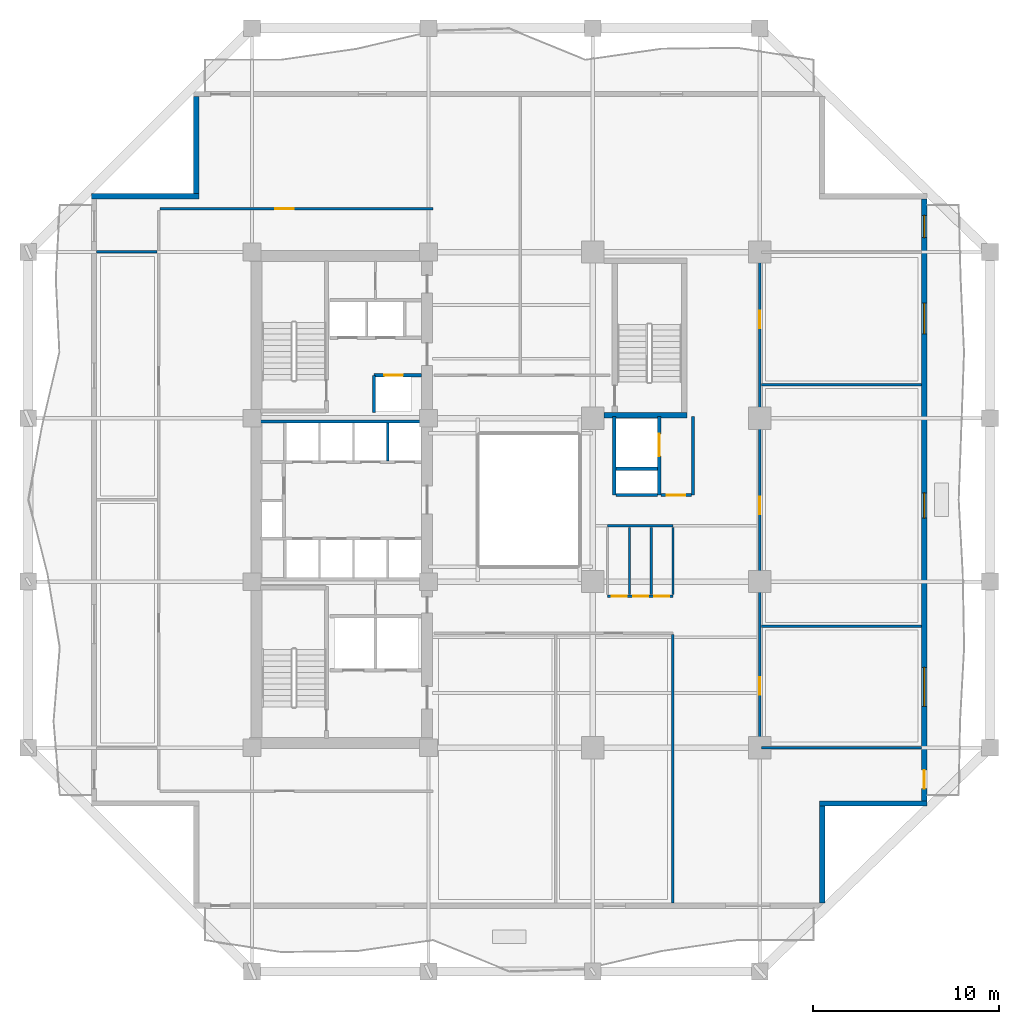
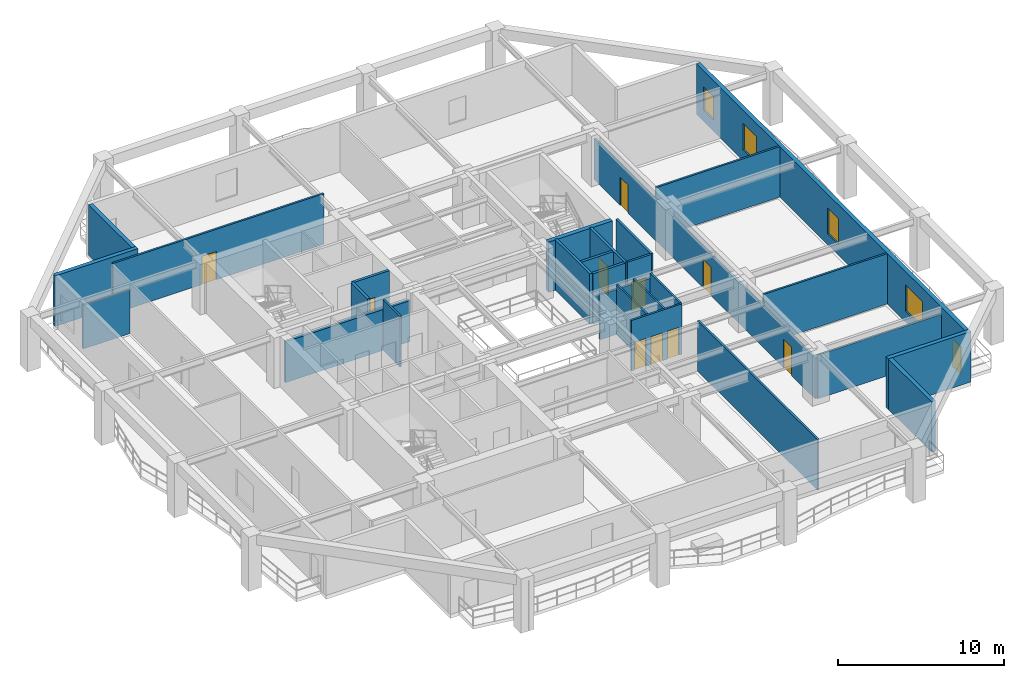
# One storey, part 4 of 12: 28 walls, 11 doors, 4 windows, 15 openings.
"""IFC4 building model written with IfcOpenShell, lengths in metres."""

from ifc_helpers import new_model, si_unit, direction, frame, frame_2d, origin, place, context, subcontext, project, spatial, rectangle, extrude, material, layer, layer_set, type_object, element, fill, save


model = new_model("IFC4")

# Units and contexts
model_context = context("Model", 3, precision=1e-05, world=origin(), true_north=direction((0.0, 1.0)))
body_context = subcontext(model_context, "Body", "Model", "MODEL_VIEW")
ifc_project = project(units=[si_unit("LENGTHUNIT", "METRE"), si_unit("AREAUNIT", "SQUARE_METRE"), si_unit("VOLUMEUNIT", "CUBIC_METRE"), si_unit("PLANEANGLEUNIT", "RADIAN"), si_unit("MASSUNIT", "GRAM", prefix="KILO")], contexts=[model_context])

# Site, building, storey
site_placement = place(None, origin())
site = spatial("IfcSite", under=ifc_project, at=site_placement, CompositionType="ELEMENT")
building_placement = place(site_placement, origin())
building = spatial("IfcBuilding", under=site, at=building_placement, Name="Kundavana Baori Tower", CompositionType="ELEMENT")
storey_placement = place(building_placement, frame((0.0, 0.0, 46.0)))
storey = spatial("IfcBuildingStorey", under=building, at=storey_placement, Name="L10", CompositionType="ELEMENT", Elevation=46.0)

# Walls
ifc_material_1 = material(Name="Red-Buff Dholpur Sandstone Cladding on Concrete C40/50", Category="masonry")
ifc_layer_1 = layer(ifc_material_1, 0.280029296875, Name="WL-EXT-SAND-280")
ifc_layer_set_1 = layer_set([ifc_layer_1], Name="Red-Buff Dholpur Sandstone Cladding on Concrete C40/50")
wall_type_1 = type_object("IfcWallType", Name="WL-EXT-SAND-280", PredefinedType="STANDARD", material=ifc_layer_set_1)
wall_1_placement = place(storey_placement, frame((46.159912109375, 6.8798828125, 0.0), z_axis=(0.0, 0.0, 1.0), x_axis=(0.0, 1.0, 0.0)))
element("IfcWall", 1, at=wall_1_placement, inside=storey, type_object=wall_type_1, Name="L10 Exterior Insulated Facade Wall 02", PredefinedType="STANDARD", context=body_context, shape_type="SweptSolid", body=[
    extrude(rectangle(XDim=5.22021484375, YDim=0.280029296875, at=frame_2d((2.610107421875, 0.0))), origin(), (0.0, 0.0, 1.0), 3.719970703125),
])
wall_2_placement = place(storey_placement, frame((46.02001953125, 12.239990234375, 0.0), z_axis=(0.0, 0.0, 1.0), x_axis=(1.0, 0.0, 0.0)))
element("IfcWall", 2, at=wall_2_placement, inside=storey, type_object=wall_type_1, Name="L10 Exterior Insulated Facade Wall 03", PredefinedType="STANDARD", context=body_context, shape_type="SweptSolid", body=[
    extrude(rectangle(XDim=5.780029296875, YDim=0.280029296875, at=frame_2d((2.89013671875, 0.0))), origin(), (0.0, 0.0, 1.0), 3.719970703125),
])

# Wall, openings, door, windows
wall_3_placement = place(storey_placement, frame((51.659912109375, 12.3798828125, 0.0), z_axis=(0.0, 0.0, 1.0), x_axis=(0.0, 1.0, 0.0)))
wall_3 = element("IfcWall", 3, at=wall_3_placement, inside=storey, type_object=wall_type_1, Name="L10 Exterior Insulated Facade Wall 04", PredefinedType="STANDARD", context=body_context, shape_type="SweptSolid", body=[
    extrude(rectangle(XDim=32.440185546875, YDim=0.280029296875, at=frame_2d((16.22021484375, 0.0))), origin(), (0.0, 0.0, 1.0), 3.719970703125),
])
opening_1_placement = place(wall_3_placement, frame((0.669921875, 0.0, 0.0)))
opening_1 = element("IfcOpeningElement", 4, at=opening_1_placement, cuts=wall_3, Name="Opening BD-1", PredefinedType="OPENING", context=body_context, shape_type="SweptSolid", body=[
    extrude(rectangle(XDim=1.0, YDim=2.050048828125, at=frame_2d((0.5, 1.02490234375))), frame((0.0, 0.14990234375, 0.0), z_axis=(0.0, -1.0, 0.0), x_axis=(1.0, 0.0, 0.0)), (0.0, 0.0, 1.0), 0.300048828125),
])
opening_2_placement = place(wall_3_placement, frame((5.094970703125, 0.0, 0.800048828125)))
opening_2 = element("IfcOpeningElement", 5, at=opening_2_placement, cuts=wall_3, Name="Opening W-05", PredefinedType="OPENING", context=body_context, shape_type="SweptSolid", body=[
    extrude(rectangle(XDim=2.10009765625, YDim=1.949951171875, at=frame_2d((1.050048828125, 0.97509765625))), frame((0.0, 0.14990234375, 0.0), z_axis=(0.0, -1.0, 0.0), x_axis=(1.0, 0.0, 0.0)), (0.0, 0.0, 1.0), 0.300048828125),
])
opening_3_placement = place(wall_3_placement, frame((15.2451171875, 0.0, 0.800048828125)))
opening_3 = element("IfcOpeningElement", 6, at=opening_3_placement, cuts=wall_3, Name="Opening W-07", PredefinedType="OPENING", context=body_context, shape_type="SweptSolid", body=[
    extrude(rectangle(XDim=1.35009765625, YDim=1.89990234375, at=frame_2d((0.675048828125, 0.949951171875))), frame((0.0, 0.14990234375, 0.0), z_axis=(0.0, -1.0, 0.0), x_axis=(1.0, 0.0, 0.0)), (0.0, 0.0, 1.0), 0.300048828125),
])
opening_4_placement = place(wall_3_placement, frame((25.169921875, 0.0, 0.800048828125)))
opening_4 = element("IfcOpeningElement", 7, at=opening_4_placement, cuts=wall_3, Name="Opening W-08", PredefinedType="OPENING", context=body_context, shape_type="SweptSolid", body=[
    extrude(rectangle(XDim=1.64990234375, YDim=1.949951171875, at=frame_2d((0.824951171875, 0.97509765625))), frame((0.0, 0.14990234375, 0.0), z_axis=(0.0, -1.0, 0.0), x_axis=(1.0, 0.0, 0.0)), (0.0, 0.0, 1.0), 0.300048828125),
])
opening_5_placement = place(wall_3_placement, frame((30.35009765625, 0.0, 0.800048828125)))
opening_5 = element("IfcOpeningElement", 8, at=opening_5_placement, cuts=wall_3, Name="Opening W-03", PredefinedType="OPENING", context=body_context, shape_type="SweptSolid", body=[
    extrude(rectangle(XDim=1.199951171875, YDim=1.75, at=frame_2d((0.60009765625, 0.875))), frame((0.0, 0.14990234375, 0.0), z_axis=(0.0, -1.0, 0.0), x_axis=(1.0, 0.0, 0.0)), (0.0, 0.0, 1.0), 0.300048828125),
])
ifc_material_2 = material(Name="Architectural Patinated Bronze Metalwork")
door_type_1 = type_object("IfcDoorType", Name="DR-EXT-LOG-1000", OperationType="NOTDEFINED", PredefinedType="DOOR", material=ifc_material_2)
door_1_placement = place(opening_1_placement, frame((1.0, 0.0, 0.0), z_axis=(0.0, 0.0, 1.0), x_axis=(-1.0, 0.0, 0.0)))
door_1 = element("IfcDoor", 9, at=door_1_placement, inside=storey, type_object=door_type_1, Name="L10 Loggia Balcony Access Door E", OperationType="SINGLE_SWING_RIGHT", OverallHeight=2.050048828125, OverallWidth=1.0, PredefinedType="DOOR", context=body_context, shape_type="SweptSolid", body=[
    extrude(rectangle(XDim=1.0, YDim=2.050048828125, at=frame_2d((0.5, 1.02490234375))), frame((0.0, 0.02490234375, 0.0), z_axis=(0.0, -1.0, 0.0), x_axis=(1.0, 0.0, 0.0)), (0.0, 0.0, 1.0), 0.050048828125),
])
fill(opening_1, door_1)
ifc_material_3 = material(Name="Double-Glazed Solar-Control Low-E Insulated Glass", Category="glass")
window_type_1 = type_object("IfcWindowType", Name="WIN-LOG-1200x1750", PartitioningType="SINGLE_PANEL", PredefinedType="WINDOW", material=ifc_material_3)
window_1_placement = place(opening_5_placement, origin())
window_1 = element("IfcWindow", 10, at=window_1_placement, inside=storey, type_object=window_type_1, Name="L10 Recessed Loggia Window E-5", OverallHeight=1.75, OverallWidth=1.199951171875, PartitioningType="SINGLE_PANEL", PredefinedType="WINDOW", context=body_context, shape_type="SweptSolid", body=[
    extrude(rectangle(XDim=1.199951171875, YDim=1.75, at=frame_2d((0.60009765625, 0.875))), frame((0.0, 0.030029296875, 0.0), z_axis=(0.0, -1.0, 0.0), x_axis=(1.0, 0.0, 0.0)), (0.0, 0.0, 1.0), 0.06005859375),
])
fill(opening_5, window_1)
ifc_material_4 = material(Name="Double-Glazed Solar-Control Low-E Insulated Glass", Category="glass")
window_type_2 = type_object("IfcWindowType", Name="WIN-LOG-1350x1900", PartitioningType="SINGLE_PANEL", PredefinedType="WINDOW", material=ifc_material_4)
window_2_placement = place(opening_3_placement, origin())
window_2 = element("IfcWindow", 11, at=window_2_placement, inside=storey, type_object=window_type_2, Name="L10 Recessed Loggia Window E-3", OverallHeight=1.89990234375, OverallWidth=1.35009765625, PartitioningType="SINGLE_PANEL", PredefinedType="WINDOW", context=body_context, shape_type="SweptSolid", body=[
    extrude(rectangle(XDim=1.35009765625, YDim=1.89990234375, at=frame_2d((0.675048828125, 0.949951171875))), frame((0.0, 0.030029296875, 0.0), z_axis=(0.0, -1.0, 0.0), x_axis=(1.0, 0.0, 0.0)), (0.0, 0.0, 1.0), 0.06005859375),
])
fill(opening_3, window_2)
ifc_material_5 = material(Name="Double-Glazed Solar-Control Low-E Insulated Glass", Category="glass")
window_type_3 = type_object("IfcWindowType", Name="WIN-LOG-1650x1950", PartitioningType="SINGLE_PANEL", PredefinedType="WINDOW", material=ifc_material_5)
window_3_placement = place(opening_4_placement, origin())
window_3 = element("IfcWindow", 12, at=window_3_placement, inside=storey, type_object=window_type_3, Name="L10 Recessed Loggia Window E-4", OverallHeight=1.949951171875, OverallWidth=1.64990234375, PartitioningType="SINGLE_PANEL", PredefinedType="WINDOW", context=body_context, shape_type="SweptSolid", body=[
    extrude(rectangle(XDim=1.64990234375, YDim=1.949951171875, at=frame_2d((0.824951171875, 0.97509765625))), frame((0.0, 0.030029296875, 0.0), z_axis=(0.0, -1.0, 0.0), x_axis=(1.0, 0.0, 0.0)), (0.0, 0.0, 1.0), 0.06005859375),
])
fill(opening_4, window_3)
ifc_material_6 = material(Name="Double-Glazed Solar-Control Low-E Insulated Glass", Category="glass")
window_type_4 = type_object("IfcWindowType", Name="WIN-LOG-2100x1950", PartitioningType="SINGLE_PANEL", PredefinedType="WINDOW", material=ifc_material_6)
window_4_placement = place(opening_2_placement, origin())
window_4 = element("IfcWindow", 13, at=window_4_placement, inside=storey, type_object=window_type_4, Name="L10 Recessed Loggia Window E-2", OverallHeight=1.949951171875, OverallWidth=2.10009765625, PartitioningType="SINGLE_PANEL", PredefinedType="WINDOW", context=body_context, shape_type="SweptSolid", body=[
    extrude(rectangle(XDim=2.10009765625, YDim=1.949951171875, at=frame_2d((1.050048828125, 0.97509765625))), frame((0.0, 0.030029296875, 0.0), z_axis=(0.0, -1.0, 0.0), x_axis=(1.0, 0.0, 0.0)), (0.0, 0.0, 1.0), 0.06005859375),
])
fill(opening_2, window_4)

# Walls
wall_4_placement = place(storey_placement, frame((12.43994140625, 50.320068359375, 0.0), z_axis=(0.0, 0.0, 1.0), x_axis=(0.0, -1.0, 0.0)))
element("IfcWall", 14, at=wall_4_placement, inside=storey, type_object=wall_type_1, Name="L10 Exterior Insulated Facade Wall 08", PredefinedType="STANDARD", context=body_context, shape_type="SweptSolid", body=[
    extrude(rectangle(XDim=5.219970703125, YDim=0.280029296875, at=frame_2d((2.60986328125, 0.0))), origin(), (0.0, 0.0, 1.0), 3.719970703125),
])
wall_5_placement = place(storey_placement, frame((12.580078125, 44.9599609375, 0.0), z_axis=(0.0, 0.0, 1.0), x_axis=(-1.0, 0.0, 0.0)))
element("IfcWall", 15, at=wall_5_placement, inside=storey, type_object=wall_type_1, Name="L10 Exterior Insulated Facade Wall 09", PredefinedType="STANDARD", context=body_context, shape_type="SweptSolid", body=[
    extrude(rectangle(XDim=5.780029296875, YDim=0.280029296875, at=frame_2d((2.89013671875, 0.0))), origin(), (0.0, 0.0, 1.0), 3.719970703125),
])
ifc_material_7 = material(Name="Acoustic Gypsum Plasterboard on Galvanised Steel Studs", Category="steel")
ifc_layer_2 = layer(ifc_material_7, 0.1201171875, Name="WL-PART-120")
ifc_layer_set_2 = layer_set([ifc_layer_2], Name="Acoustic Gypsum Plasterboard on Galvanised Steel Studs")
wall_type_2 = type_object("IfcWallType", Name="WL-PART-120", PredefinedType="PARTITIONING", material=ifc_layer_set_2)
wall_6_placement = place(storey_placement, frame((22.760009765625, 30.699951171875, 0.0), z_axis=(0.0, 0.0, 1.0), x_axis=(0.0, 1.0, 0.0)))
element("IfcWall", 16, at=wall_6_placement, inside=storey, type_object=wall_type_2, Name="WL-L10-LPMID-D3", PredefinedType="PARTITIONING", context=body_context, shape_type="SweptSolid", body=[
    extrude(rectangle(XDim=2.050048828125, YDim=0.1201171875, at=frame_2d((1.02490234375, 0.0))), origin(), (0.0, 0.0, 1.0), 3.719970703125),
])
ifc_material_8 = material(Name="Acoustic Gypsum Plasterboard on Galvanised Steel Studs", Category="steel")
ifc_layer_3 = layer(ifc_material_8, 0.135009765625, Name="WL-PART-135")
ifc_layer_set_3 = layer_set([ifc_layer_3], Name="Acoustic Gypsum Plasterboard on Galvanised Steel Studs")
wall_type_3 = type_object("IfcWallType", Name="WL-PART-135", PredefinedType="PARTITIONING", material=ifc_layer_set_3)
wall_7_placement = place(storey_placement, frame((38.1201171875, 6.8798828125, 0.0), z_axis=(0.0, 0.0, 1.0), x_axis=(0.0, 1.0, 0.0)))
element("IfcWall", 17, at=wall_7_placement, inside=storey, type_object=wall_type_3, Name="WL-L10-OFSEND", PredefinedType="PARTITIONING", context=body_context, shape_type="SweptSolid", body=[
    extrude(rectangle(XDim=14.460205078125, YDim=0.135009765625, at=frame_2d((7.22998046875, 0.0))), origin(), (0.0, 0.0, 1.0), 3.719970703125),
])

# Wall, openings, doors
wall_8_placement = place(storey_placement, frame((34.60009765625, 23.419921875, 0.0), z_axis=(0.0, 0.0, 1.0), x_axis=(1.0, 0.0, 0.0)))
wall_8 = element("IfcWall", 18, at=wall_8_placement, inside=storey, type_object=wall_type_3, Name="WL-L10-OFST", PredefinedType="PARTITIONING", context=body_context, shape_type="SweptSolid", body=[
    extrude(rectangle(XDim=3.52001953125, YDim=0.135009765625, at=frame_2d((1.760009765625, 0.0))), origin(), (0.0, 0.0, 1.0), 3.719970703125),
])
opening_6_placement = place(wall_8_placement, frame((0.219970703125, 0.0, 0.0)))
opening_6 = element("IfcOpeningElement", 19, at=opening_6_placement, cuts=wall_8, Name="Opening WD-080", PredefinedType="OPENING", context=body_context, shape_type="SweptSolid", body=[
    extrude(rectangle(XDim=0.800048828125, YDim=2.050048828125, at=frame_2d((0.39990234375, 1.02490234375))), frame((0.0, 0.07763671875, 0.0), z_axis=(0.0, -1.0, 0.0), x_axis=(1.0, 0.0, 0.0)), (0.0, 0.0, 1.0), 0.155029296875),
])
opening_7_placement = place(wall_8_placement, frame((1.3798828125, 0.0, 0.0)))
opening_7 = element("IfcOpeningElement", 20, at=opening_7_placement, cuts=wall_8, Name="Opening WD-080", PredefinedType="OPENING", context=body_context, shape_type="SweptSolid", body=[
    extrude(rectangle(XDim=0.800048828125, YDim=2.050048828125, at=frame_2d((0.39990234375, 1.02490234375))), frame((0.0, 0.07763671875, 0.0), z_axis=(0.0, -1.0, 0.0), x_axis=(1.0, 0.0, 0.0)), (0.0, 0.0, 1.0), 0.155029296875),
])
opening_8_placement = place(wall_8_placement, frame((2.52001953125, 0.0, 0.0)))
opening_8 = element("IfcOpeningElement", 21, at=opening_8_placement, cuts=wall_8, Name="Opening WD-080", PredefinedType="OPENING", context=body_context, shape_type="SweptSolid", body=[
    extrude(rectangle(XDim=0.800048828125, YDim=2.050048828125, at=frame_2d((0.39990234375, 1.02490234375))), frame((0.0, 0.07763671875, 0.0), z_axis=(0.0, -1.0, 0.0), x_axis=(1.0, 0.0, 0.0)), (0.0, 0.0, 1.0), 0.155029296875),
])
ifc_material_9 = material(Name="Engineered Teak Solid-Core Timber Veneer", Category="wood")
door_type_2 = type_object("IfcDoorType", Name="DR-WET-800", OperationType="NOTDEFINED", PredefinedType="DOOR", material=ifc_material_9)
door_2_placement = place(opening_6_placement, origin())
door_2 = element("IfcDoor", 22, at=door_2_placement, inside=storey, type_object=door_type_2, Name="DR-L10-WCM", OperationType="SINGLE_SWING_LEFT", OverallHeight=2.050048828125, OverallWidth=0.800048828125, PredefinedType="DOOR", context=body_context, shape_type="SweptSolid", body=[
    extrude(rectangle(XDim=0.800048828125, YDim=2.050048828125, at=frame_2d((0.39990234375, 1.02490234375))), frame((0.0, 0.02490234375, 0.0), z_axis=(0.0, -1.0, 0.0), x_axis=(1.0, 0.0, 0.0)), (0.0, 0.0, 1.0), 0.050048828125),
])
fill(opening_6, door_2)
door_3_placement = place(opening_7_placement, origin())
door_3 = element("IfcDoor", 23, at=door_3_placement, inside=storey, type_object=door_type_2, Name="DR-L10-WCA", OperationType="SINGLE_SWING_RIGHT", OverallHeight=2.050048828125, OverallWidth=0.800048828125, PredefinedType="DOOR", context=body_context, shape_type="SweptSolid", body=[
    extrude(rectangle(XDim=0.800048828125, YDim=2.050048828125, at=frame_2d((0.39990234375, 1.02490234375))), frame((0.0, 0.02490234375, 0.0), z_axis=(0.0, -1.0, 0.0), x_axis=(1.0, 0.0, 0.0)), (0.0, 0.0, 1.0), 0.050048828125),
])
fill(opening_7, door_3)
door_4_placement = place(opening_8_placement, origin())
door_4 = element("IfcDoor", 24, at=door_4_placement, inside=storey, type_object=door_type_2, Name="DR-L10-PNT", OperationType="SINGLE_SWING_LEFT", OverallHeight=2.050048828125, OverallWidth=0.800048828125, PredefinedType="DOOR", context=body_context, shape_type="SweptSolid", body=[
    extrude(rectangle(XDim=0.800048828125, YDim=2.050048828125, at=frame_2d((0.39990234375, 1.02490234375))), frame((0.0, 0.02490234375, 0.0), z_axis=(0.0, -1.0, 0.0), x_axis=(1.0, 0.0, 0.0)), (0.0, 0.0, 1.0), 0.050048828125),
])
fill(opening_8, door_4)

wall_9_placement = place(storey_placement, frame((42.800048828125, 15.25, 0.0), z_axis=(0.0, 0.0, 1.0), x_axis=(0.0, 1.0, 0.0)))
wall_9 = element("IfcWall", 25, at=wall_9_placement, inside=storey, type_object=wall_type_3, Name="WL-L10-OFE", PredefinedType="PARTITIONING", context=body_context, shape_type="SweptSolid", body=[
    extrude(rectangle(XDim=26.699951171875, YDim=0.135009765625, at=frame_2d((13.35009765625, 0.0))), origin(), (0.0, 0.0, 1.0), 3.02001953125),
])
opening_9_placement = place(wall_9_placement, frame((2.85009765625, 0.0, 0.0)))
opening_9 = element("IfcOpeningElement", 26, at=opening_9_placement, cuts=wall_9, Name="Opening ID-095", PredefinedType="OPENING", context=body_context, shape_type="SweptSolid", body=[
    extrude(rectangle(XDim=0.949951171875, YDim=2.080078125, at=frame_2d((0.47509765625, 1.0400390625))), frame((0.0, 0.07763671875, 0.0), z_axis=(0.0, -1.0, 0.0), x_axis=(1.0, 0.0, 0.0)), (0.0, 0.0, 1.0), 0.155029296875),
])
opening_10_placement = place(wall_9_placement, frame((12.574951171875, 0.0, 0.0)))
opening_10 = element("IfcOpeningElement", 27, at=opening_10_placement, cuts=wall_9, Name="Opening ID-095", PredefinedType="OPENING", context=body_context, shape_type="SweptSolid", body=[
    extrude(rectangle(XDim=0.949951171875, YDim=2.080078125, at=frame_2d((0.47509765625, 1.0400390625))), frame((0.0, 0.07763671875, 0.0), z_axis=(0.0, -1.0, 0.0), x_axis=(1.0, 0.0, 0.0)), (0.0, 0.0, 1.0), 0.155029296875),
])
opening_11_placement = place(wall_9_placement, frame((22.60009765625, 0.0, 0.0)))
opening_11 = element("IfcOpeningElement", 28, at=opening_11_placement, cuts=wall_9, Name="Opening ID-095", PredefinedType="OPENING", context=body_context, shape_type="SweptSolid", body=[
    extrude(rectangle(XDim=0.949951171875, YDim=2.080078125, at=frame_2d((0.47509765625, 1.0400390625))), frame((0.0, 0.07763671875, 0.0), z_axis=(0.0, -1.0, 0.0), x_axis=(1.0, 0.0, 0.0)), (0.0, 0.0, 1.0), 0.155029296875),
])
ifc_material_10 = material(Name="Engineered Teak Solid-Core Timber Veneer", Category="wood")
door_type_3 = type_object("IfcDoorType", Name="DR-INT-950", OperationType="NOTDEFINED", PredefinedType="DOOR", material=ifc_material_10)
door_5_placement = place(opening_9_placement, origin())
door_5 = element("IfcDoor", 29, at=door_5_placement, inside=storey, type_object=door_type_3, Name="DR-L10-OFE1", OperationType="SINGLE_SWING_RIGHT", OverallHeight=2.080078125, OverallWidth=0.949951171875, PredefinedType="DOOR", context=body_context, shape_type="SweptSolid", body=[
    extrude(rectangle(XDim=0.949951171875, YDim=2.080078125, at=frame_2d((0.47509765625, 1.0400390625))), frame((0.0, 0.02490234375, 0.0), z_axis=(0.0, -1.0, 0.0), x_axis=(1.0, 0.0, 0.0)), (0.0, 0.0, 1.0), 0.050048828125),
])
fill(opening_9, door_5)
door_6_placement = place(opening_10_placement, origin())
door_6 = element("IfcDoor", 30, at=door_6_placement, inside=storey, type_object=door_type_3, Name="DR-L10-OFE2", OperationType="SINGLE_SWING_LEFT", OverallHeight=2.080078125, OverallWidth=0.949951171875, PredefinedType="DOOR", context=body_context, shape_type="SweptSolid", body=[
    extrude(rectangle(XDim=0.949951171875, YDim=2.080078125, at=frame_2d((0.47509765625, 1.0400390625))), frame((0.0, 0.02490234375, 0.0), z_axis=(0.0, -1.0, 0.0), x_axis=(1.0, 0.0, 0.0)), (0.0, 0.0, 1.0), 0.050048828125),
])
fill(opening_10, door_6)
door_7_placement = place(opening_11_placement, origin())
door_7 = element("IfcDoor", 31, at=door_7_placement, inside=storey, type_object=door_type_3, Name="DR-L10-OFE3", OperationType="SINGLE_SWING_RIGHT", OverallHeight=2.080078125, OverallWidth=0.949951171875, PredefinedType="DOOR", context=body_context, shape_type="SweptSolid", body=[
    extrude(rectangle(XDim=0.949951171875, YDim=2.080078125, at=frame_2d((0.47509765625, 1.0400390625))), frame((0.0, 0.02490234375, 0.0), z_axis=(0.0, -1.0, 0.0), x_axis=(1.0, 0.0, 0.0)), (0.0, 0.0, 1.0), 0.050048828125),
])
fill(opening_11, door_7)

# Walls
wall_10_placement = place(storey_placement, frame((42.8798828125, 15.25, 0.0), z_axis=(0.0, 0.0, 1.0), x_axis=(1.0, 0.0, 0.0)))
element("IfcWall", 32, at=wall_10_placement, inside=storey, type_object=wall_type_3, Name="WL-L10-OFES", PredefinedType="PARTITIONING", context=body_context, shape_type="SweptSolid", body=[
    extrude(rectangle(XDim=8.64013671875, YDim=0.135009765625, at=frame_2d((4.320068359375, 0.0))), origin(), (0.0, 0.0, 1.0), 3.219970703125),
])
wall_11_placement = place(storey_placement, frame((7.080078125, 41.97998046875, 0.0), z_axis=(0.0, 0.0, 1.0), x_axis=(1.0, 0.0, 0.0)))
element("IfcWall", 33, at=wall_11_placement, inside=storey, type_object=wall_type_3, Name="WL-L10-OWN", PredefinedType="PARTITIONING", context=body_context, shape_type="SweptSolid", body=[
    extrude(rectangle(XDim=3.260009765625, YDim=0.135009765625, at=frame_2d((1.6298828125, 0.0))), origin(), (0.0, 0.0, 1.0), 3.219970703125),
])

# Wall, opening, door
wall_12_placement = place(storey_placement, frame((10.5, 44.280029296875, 0.0), z_axis=(0.0, 0.0, 1.0), x_axis=(1.0, 0.0, 0.0)))
wall_12 = element("IfcWall", 34, at=wall_12_placement, inside=storey, type_object=wall_type_3, Name="WL-L10-ONC", PredefinedType="PARTITIONING", context=body_context, shape_type="SweptSolid", body=[
    extrude(rectangle(XDim=14.699951171875, YDim=0.135009765625, at=frame_2d((7.35009765625, 0.0))), origin(), (0.0, 0.0, 1.0), 3.719970703125),
])
opening_12_placement = place(wall_12_placement, frame((6.199951171875, 0.0, 0.0)))
opening_12 = element("IfcOpeningElement", 35, at=opening_12_placement, cuts=wall_12, Name="Opening ID-100", PredefinedType="OPENING", context=body_context, shape_type="SweptSolid", body=[
    extrude(rectangle(XDim=1.0, YDim=2.080078125, at=frame_2d((0.5, 1.0400390625))), frame((0.0, 0.07763671875, 0.0), z_axis=(0.0, -1.0, 0.0), x_axis=(1.0, 0.0, 0.0)), (0.0, 0.0, 1.0), 0.155029296875),
])
ifc_material_11 = material(Name="Engineered Teak Solid-Core Timber Veneer", Category="wood")
door_type_4 = type_object("IfcDoorType", Name="DR-INT-1000", OperationType="NOTDEFINED", PredefinedType="DOOR", material=ifc_material_11)
door_8_placement = place(opening_12_placement, origin())
door_8 = element("IfcDoor", 36, at=door_8_placement, inside=storey, type_object=door_type_4, Name="DR-L10-ONWC", OperationType="SINGLE_SWING_RIGHT", OverallHeight=2.080078125, OverallWidth=1.0, PredefinedType="DOOR", context=body_context, shape_type="SweptSolid", body=[
    extrude(rectangle(XDim=1.0, YDim=2.080078125, at=frame_2d((0.5, 1.0400390625))), frame((0.0, 0.02490234375, 0.0), z_axis=(0.0, -1.0, 0.0), x_axis=(1.0, 0.0, 0.0)), (0.0, 0.0, 1.0), 0.050048828125),
])
fill(opening_12, door_8)

# Walls
for number, where, z_axis, x_axis, name in (
    (37, (42.8798828125, 21.800048828125, 0.0), (0.0, 0.0, 1.0), (1.0, 0.0, 0.0), "WL-L10-ED1"),
    (38, (42.8798828125, 34.800048828125, 0.0), (0.0, 0.0, 1.0), (1.0, 0.0, 0.0), "WL-L10-ED2"),
):
    element("IfcWall", number, at=place(storey_placement, frame(where, z_axis=z_axis, x_axis=x_axis)), inside=storey, type_object=wall_type_3, Name=name, PredefinedType="PARTITIONING", context=body_context, shape_type="SweptSolid", body=[
        extrude(rectangle(XDim=8.64013671875, YDim=0.135009765625, at=frame_2d((4.320068359375, 0.0))), origin(), (0.0, 0.0, 1.0), 3.719970703125),
    ])
ifc_material_12 = material(Name="Fire-Rated Gypsum Drywall on Galvanised Steel Studs", Category="steel")
ifc_layer_4 = layer(ifc_material_12, 0.14990234375, Name="WL-PART-150")
ifc_layer_set_4 = layer_set([ifc_layer_4], Name="Fire-Rated Gypsum Drywall on Galvanised Steel Studs")
wall_type_4 = type_object("IfcWallType", Name="WL-PART-150", PredefinedType="PARTITIONING", material=ifc_layer_set_4)
wall_13_placement = place(storey_placement, frame((39.199951171875, 28.860107421875, 0.0), z_axis=(0.0, 0.0, 1.0), x_axis=(0.0, 1.0, 0.0)))
element("IfcWall", 39, at=wall_13_placement, inside=storey, type_object=wall_type_4, Name="WL-L10-SVLOB-E", PredefinedType="PARTITIONING", context=body_context, shape_type="SweptSolid", body=[
    extrude(rectangle(XDim=4.219970703125, YDim=0.14990234375, at=frame_2d((2.10986328125, 0.0))), origin(), (0.0, 0.0, 1.0), 3.719970703125),
])

# Wall, opening, door
wall_14_placement = place(storey_placement, frame((37.47998046875, 28.860107421875, 0.0), z_axis=(0.0, 0.0, 1.0), x_axis=(1.0, 0.0, 0.0)))
wall_14 = element("IfcWall", 40, at=wall_14_placement, inside=storey, type_object=wall_type_4, Name="WL-L10-SVLOB-S", PredefinedType="PARTITIONING", context=body_context, shape_type="SweptSolid", body=[
    extrude(rectangle(XDim=1.64013671875, YDim=0.14990234375, at=frame_2d((0.820068359375, 0.0))), origin(), (0.0, 0.0, 1.0), 3.719970703125),
])
opening_13_placement = place(wall_14_placement, frame((0.300048828125, 0.0, 0.0)))
opening_13 = element("IfcOpeningElement", 41, at=opening_13_placement, cuts=wall_14, Name="Opening FD-100", PredefinedType="OPENING", context=body_context, shape_type="SweptSolid", body=[
    extrude(rectangle(XDim=1.0, YDim=2.10009765625, at=frame_2d((0.5, 1.050048828125))), frame((0.0, 0.0849609375, 0.0), z_axis=(0.0, -1.0, 0.0), x_axis=(1.0, 0.0, 0.0)), (0.0, 0.0, 1.0), 0.169921875),
])
ifc_material_13 = material(Name="Engineered Teak Fire-Rated Timber Door Leaf", Category="wood")
door_type_5 = type_object("IfcDoorType", Name="DR-FD60-1000", OperationType="NOTDEFINED", PredefinedType="DOOR", material=ifc_material_13)
door_9_placement = place(opening_13_placement, origin())
door_9 = element("IfcDoor", 42, at=door_9_placement, inside=storey, type_object=door_type_5, Name="DR-L10-SVLOB-OUT", OperationType="SINGLE_SWING_LEFT", OverallHeight=2.10009765625, OverallWidth=1.0, PredefinedType="DOOR", context=body_context, shape_type="SweptSolid", body=[
    extrude(rectangle(XDim=1.0, YDim=2.10009765625, at=frame_2d((0.5, 1.050048828125))), frame((0.0, 0.02490234375, 0.0), z_axis=(0.0, -1.0, 0.0), x_axis=(1.0, 0.0, 0.0)), (0.0, 0.0, 1.0), 0.050048828125),
])
fill(opening_13, door_9)

# Wall
ifc_material_14 = material(Name="Autoclaved Aerated Concrete Blockwork Masonry", Category="masonry")
ifc_layer_5 = layer(ifc_material_14, 0.179931640625, Name="WL-SHAFT-180")
ifc_layer_set_5 = layer_set([ifc_layer_5], Name="Autoclaved Aerated Concrete Blockwork Masonry")
wall_type_5 = type_object("IfcWallType", Name="WL-SHAFT-180", PredefinedType="SOLIDWALL", material=ifc_layer_set_5)
wall_15_placement = place(storey_placement, frame((15.89990234375, 32.820068359375, 0.0), z_axis=(0.0, 0.0, 1.0), x_axis=(1.0, 0.0, 0.0)))
element("IfcWall", 43, at=wall_15_placement, inside=storey, type_object=wall_type_5, Name="WL-L10-LPMID-N", PredefinedType="SOLIDWALL", context=body_context, shape_type="SweptSolid", body=[
    extrude(rectangle(XDim=8.68017578125, YDim=0.179931640625, at=frame_2d((4.340087890625, 0.0))), origin(), (0.0, 0.0, 1.0), 3.02001953125),
])

# Wall, opening, door
wall_16_placement = place(storey_placement, frame((22.02001953125, 35.31005859375, 0.0), z_axis=(0.0, 0.0, 1.0), x_axis=(1.0, 0.0, 0.0)))
wall_16 = element("IfcWall", 44, at=wall_16_placement, inside=storey, type_object=wall_type_5, Name="WL-L10-LP11-N", PredefinedType="SOLIDWALL", context=body_context, shape_type="SweptSolid", body=[
    extrude(rectangle(XDim=2.56005859375, YDim=0.179931640625, at=frame_2d((1.280029296875, 0.0))), origin(), (0.0, 0.0, 1.0), 3.719970703125),
])
opening_14_placement = place(wall_16_placement, frame((0.550048828125, 0.0, 0.0)))
opening_14 = element("IfcOpeningElement", 45, at=opening_14_placement, cuts=wall_16, Name="Opening LD-100", PredefinedType="OPENING", context=body_context, shape_type="SweptSolid", body=[
    extrude(rectangle(XDim=1.0, YDim=2.10009765625, at=frame_2d((0.5, 1.050048828125))), frame((0.0, 0.10009765625, 0.0), z_axis=(0.0, -1.0, 0.0), x_axis=(1.0, 0.0, 0.0)), (0.0, 0.0, 1.0), 0.199951171875),
])
ifc_material_15 = material(Name="Galvanised Steel Fire-Rated Door Leaf", Category="steel")
door_type_6 = type_object("IfcDoorType", Name="DR-SLIDE-LD1000", OperationType="NOTDEFINED", PredefinedType="DOOR", material=ifc_material_15)
door_10_placement = place(opening_14_placement, origin())
door_10 = element("IfcDoor", 46, at=door_10_placement, inside=storey, type_object=door_type_6, Name="DR-L10-LD-LP11", OperationType="DOUBLE_DOOR_SLIDING", OverallHeight=2.10009765625, OverallWidth=1.0, PredefinedType="DOOR", context=body_context, shape_type="SweptSolid", body=[
    extrude(rectangle(XDim=1.0, YDim=2.10009765625, at=frame_2d((0.5, 1.050048828125))), frame((0.0, 0.02490234375, 0.0), z_axis=(0.0, -1.0, 0.0), x_axis=(1.0, 0.0, 0.0)), (0.0, 0.0, 1.0), 0.050048828125),
])
fill(opening_14, door_10)

# Walls
wall_17_placement = place(storey_placement, frame((22.02001953125, 33.300048828125, 0.0), z_axis=(0.0, 0.0, 1.0), x_axis=(0.0, 1.0, 0.0)))
element("IfcWall", 47, at=wall_17_placement, inside=storey, type_object=wall_type_5, Name="WL-L10-LP11-W", PredefinedType="SOLIDWALL", context=body_context, shape_type="SweptSolid", body=[
    extrude(rectangle(XDim=2.010009765625, YDim=0.179931640625, at=frame_2d((1.0048828125, 0.0))), origin(), (0.0, 0.0, 1.0), 3.719970703125),
])
wall_18_placement = place(storey_placement, frame((34.9599609375, 28.860107421875, 0.0), z_axis=(0.0, 0.0, 1.0), x_axis=(0.0, 1.0, 0.0)))
element("IfcWall", 48, at=wall_18_placement, inside=storey, type_object=wall_type_5, Name="WL-L10-SVL-W", PredefinedType="SOLIDWALL", context=body_context, shape_type="SweptSolid", body=[
    extrude(rectangle(XDim=4.219970703125, YDim=0.179931640625, at=frame_2d((2.10986328125, 0.0))), origin(), (0.0, 0.0, 1.0), 3.719970703125),
])

# Wall, opening, door
wall_19_placement = place(storey_placement, frame((37.389892578125, 28.860107421875, 0.0), z_axis=(0.0, 0.0, 1.0), x_axis=(0.0, 1.0, 0.0)))
wall_19 = element("IfcWall", 49, at=wall_19_placement, inside=storey, type_object=wall_type_5, Name="WL-L10-SVL-E", PredefinedType="SOLIDWALL", context=body_context, shape_type="SweptSolid", body=[
    extrude(rectangle(XDim=4.219970703125, YDim=0.179931640625, at=frame_2d((2.10986328125, 0.0))), origin(), (0.0, 0.0, 1.0), 3.719970703125),
])
opening_15_placement = place(wall_19_placement, frame((2.10009765625, 0.0, 0.0)))
opening_15 = element("IfcOpeningElement", 50, at=opening_15_placement, cuts=wall_19, Name="Opening LD-120", PredefinedType="OPENING", context=body_context, shape_type="SweptSolid", body=[
    extrude(rectangle(XDim=1.199951171875, YDim=2.1201171875, at=frame_2d((0.60009765625, 1.06005859375))), frame((0.0, 0.10009765625, 0.0), z_axis=(0.0, -1.0, 0.0), x_axis=(1.0, 0.0, 0.0)), (0.0, 0.0, 1.0), 0.199951171875),
])
ifc_material_16 = material(Name="Galvanised Steel Fire-Rated Door Leaf", Category="steel")
door_type_7 = type_object("IfcDoorType", Name="DR-SLIDE-LD1200", OperationType="NOTDEFINED", PredefinedType="DOOR", material=ifc_material_16)
door_11_placement = place(opening_15_placement, frame((1.199951171875, 0.0, 0.0), z_axis=(0.0, 0.0, 1.0), x_axis=(-1.0, 0.0, 0.0)))
door_11 = element("IfcDoor", 51, at=door_11_placement, inside=storey, type_object=door_type_7, Name="DR-L10-LD-SVL1", OperationType="DOUBLE_DOOR_SLIDING", OverallHeight=2.1201171875, OverallWidth=1.199951171875, PredefinedType="DOOR", context=body_context, shape_type="SweptSolid", body=[
    extrude(rectangle(XDim=1.199951171875, YDim=2.1201171875, at=frame_2d((0.60009765625, 1.06005859375))), frame((0.0, 0.02490234375, 0.0), z_axis=(0.0, -1.0, 0.0), x_axis=(1.0, 0.0, 0.0)), (0.0, 0.0, 1.0), 0.050048828125),
])
fill(opening_15, door_11)

# Walls
for number, where, z_axis, x_axis, name in (
    (52, (35.050048828125, 28.860107421875, 0.0), (0.0, 0.0, 1.0), (1.0, 0.0, 0.0), "WL-L10-SVL-S"),
    (53, (35.050048828125, 30.27001953125, 0.0), (0.0, 0.0, 1.0), (1.0, 0.0, 0.0), "WL-L10-SVL-M"),
):
    element("IfcWall", number, at=place(storey_placement, frame(where, z_axis=z_axis, x_axis=x_axis)), inside=storey, type_object=wall_type_5, Name=name, PredefinedType="SOLIDWALL", context=body_context, shape_type="SweptSolid", body=[
        extrude(rectangle(XDim=2.25, YDim=0.179931640625, at=frame_2d((1.125, 0.0))), origin(), (0.0, 0.0, 1.0), 3.719970703125),
    ])
ifc_material_17 = material(Name="Concrete C50/60", Category="concrete")
ifc_layer_6 = layer(ifc_material_17, 0.300048828125, Name="WL-ST3-300")
ifc_layer_set_6 = layer_set([ifc_layer_6], Name="Concrete C50/60")
wall_type_6 = type_object("IfcWallType", Name="WL-ST3-300", PredefinedType="SHEAR", material=ifc_layer_set_6)
wall_20_placement = place(storey_placement, frame((34.39990234375, 33.159912109375, 0.0), z_axis=(0.0, 0.0, 1.0), x_axis=(1.0, 0.0, 0.0)))
element("IfcWall", 54, at=wall_20_placement, inside=storey, type_object=wall_type_6, Name="L10 Stair ST3 South Shear Wall", PredefinedType="SHEAR", context=body_context, shape_type="SweptSolid", body=[
    extrude(rectangle(XDim=4.47021484375, YDim=0.300048828125, at=frame_2d((2.235107421875, 0.0))), origin(), (0.0, 0.0, 1.0), 3.719970703125),
])
ifc_material_18 = material(Name="Autoclaved Aerated Concrete Blockwork Masonry", Category="masonry")
ifc_layer_7 = layer(ifc_material_18, 0.125, Name="WL-WET-120")
ifc_layer_set_7 = layer_set([ifc_layer_7], Name="Autoclaved Aerated Concrete Blockwork Masonry")
wall_type_7 = type_object("IfcWallType", Name="WL-WET-120", PredefinedType="PLUMBINGWALL", material=ifc_layer_set_7)
wall_21_placement = place(storey_placement, frame((34.60009765625, 27.199951171875, 0.0), z_axis=(0.0, 0.0, 1.0), x_axis=(1.0, 0.0, 0.0)))
element("IfcWall", 55, at=wall_21_placement, inside=storey, type_object=wall_type_7, Name="WL-L10-WCN", PredefinedType="PLUMBINGWALL", context=body_context, shape_type="SweptSolid", body=[
    extrude(rectangle(XDim=3.52001953125, YDim=0.125, at=frame_2d((1.760009765625, 0.0))), origin(), (0.0, 0.0, 1.0), 3.320068359375),
])
for number, where, z_axis, x_axis, name in (
    (56, (38.1201171875, 23.5, 0.0), (0.0, 0.0, 1.0), (0.0, 1.0, 0.0), "WL-L10-WCE"),
    (57, (35.780029296875, 23.5, 0.0), (0.0, 0.0, 1.0), (0.0, 1.0, 0.0), "WL-L10-WCD1"),
    (58, (36.9599609375, 23.5, 0.0), (0.0, 0.0, 1.0), (0.0, 1.0, 0.0), "WL-L10-WCD2"),
):
    element("IfcWall", number, at=place(storey_placement, frame(where, z_axis=z_axis, x_axis=x_axis)), inside=storey, type_object=wall_type_7, Name=name, PredefinedType="PLUMBINGWALL", context=body_context, shape_type="SweptSolid", body=[
        extrude(rectangle(XDim=3.6201171875, YDim=0.125, at=frame_2d((1.81005859375, 0.0))), origin(), (0.0, 0.0, 1.0), 3.719970703125),
    ])

save(model, "model.ifc")
